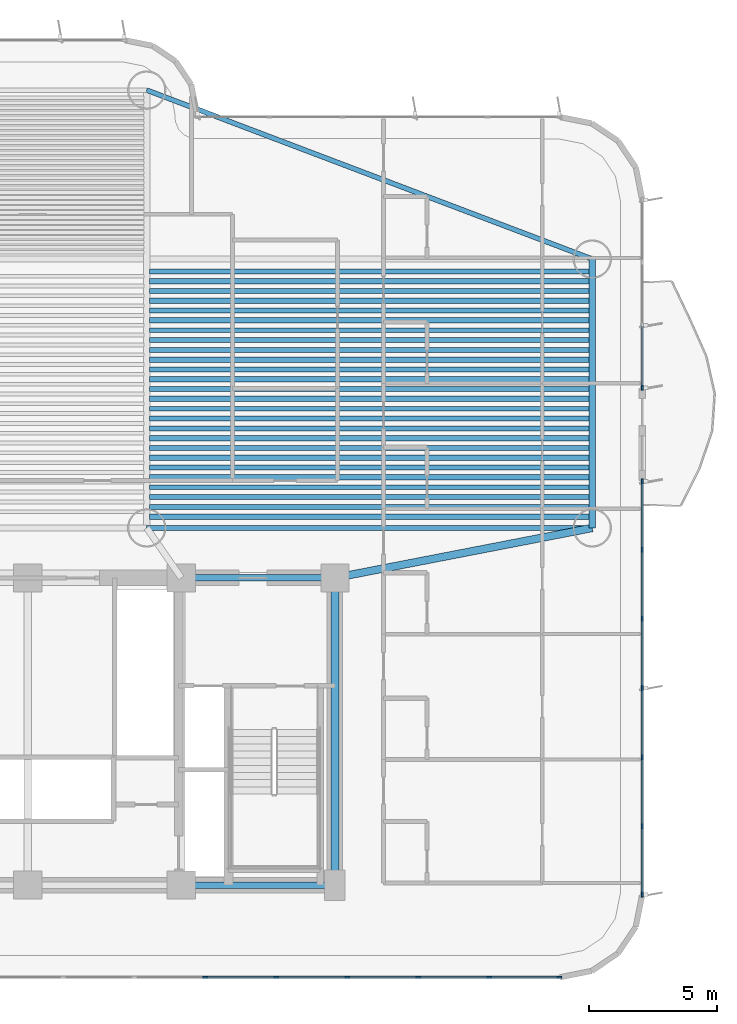
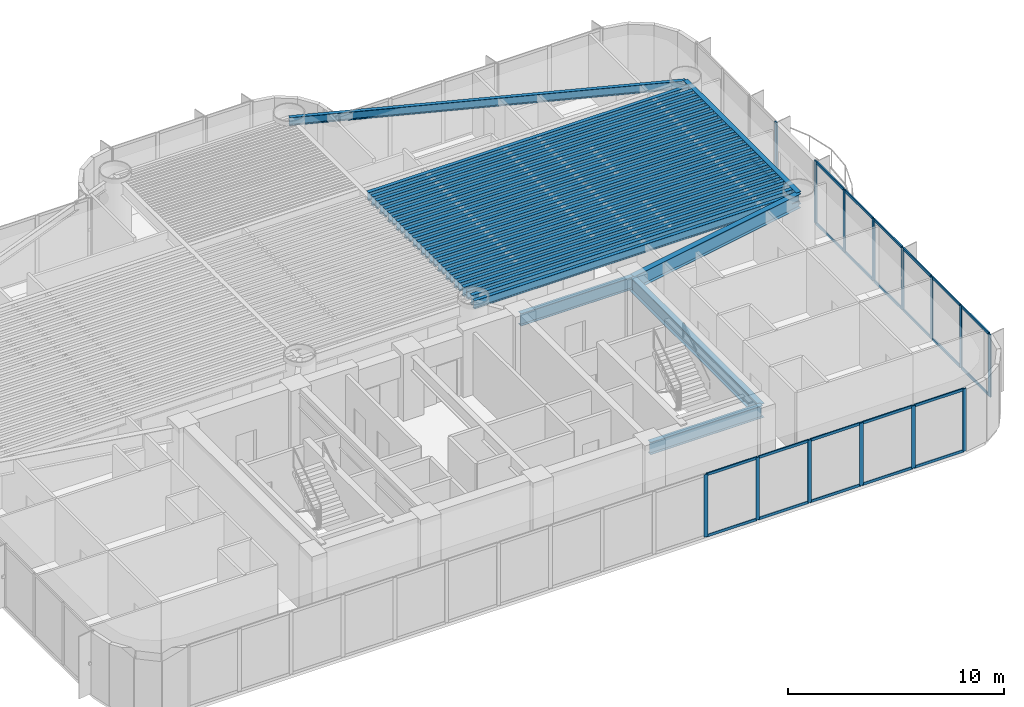
# One storey, part 5 of 19: 37 members, 33 beams, 3 elements without a shape of their own.
"""IFC4 building model written with IfcOpenShell, lengths in metres."""

from ifc_helpers import new_model, si_unit, direction, frame, origin, origin_2d, place, context, subcontext, project, spatial, rectangle, i_section, extrude, source, transform, mapped, material, layer, layer_set, material_profile, profile_set, type_object, element, aggregate, save


model = new_model("IFC4")

# Units and contexts
model_context = context("Model", 3, precision=1e-05, world=origin(), true_north=direction((0.0, 1.0)))
body_context = subcontext(model_context, "Body", "Model", "MODEL_VIEW")
ifc_project = project(units=[si_unit("LENGTHUNIT", "METRE"), si_unit("AREAUNIT", "SQUARE_METRE"), si_unit("VOLUMEUNIT", "CUBIC_METRE"), si_unit("PLANEANGLEUNIT", "RADIAN"), si_unit("MASSUNIT", "GRAM", prefix="KILO")], contexts=[model_context])

# Site, building, storey
site_placement = place(None, origin())
site = spatial("IfcSite", under=ifc_project, at=site_placement, CompositionType="ELEMENT")
building_placement = place(site_placement, origin())
building = spatial("IfcBuilding", under=site, at=building_placement, Name="Brelvock Crest Care Tower", CompositionType="ELEMENT")
storey_placement = place(building_placement, frame((0.0, 0.0, 68.580078125)))
storey = spatial("IfcBuildingStorey", under=building, at=storey_placement, Name="L17", CompositionType="ELEMENT", Elevation=68.580078125)

# Beams
ifc_material_1 = material(Name="Steel Grade 350", Category="steel")
ifc_material_profile_1 = material_profile(ifc_material_1, i_section(OverallWidth=0.25, OverallDepth=0.699951171875, WebThickness=0.011962890625, FlangeThickness=0.02001953125, at=origin_2d()), Name="700WB150")
ifc_profile_set_1 = profile_set([ifc_material_profile_1], Name="Steel Grade 350")
beam_type_1 = type_object("IfcBeamType", Name="BM-G4", PredefinedType="BEAM", material=ifc_profile_set_1)
shared_shape_1 = source(origin(), body_context, "Body", "SweptSolid", [
    extrude(i_section(OverallWidth=0.25, OverallDepth=0.699951171875, WebThickness=0.011962890625, FlangeThickness=0.02001953125, at=origin_2d()), origin(), (0.0, 0.0, 1.0), 6.0),
])
for number, where, z_axis, x_axis, name in (
    (1, (42.0, 6.0, 3.179931640625), (1.0, 0.0, 0.0), (0.0, 1.0, 0.0), "BM-CORES-L17-4"),
    (2, (42.0, 18.0, 3.179931640625), (1.0, 0.0, 0.0), (0.0, 1.0, 0.0), "BM-COREN-L17-4"),
):
    element("IfcBeam", number, at=place(storey_placement, frame(where, z_axis=z_axis, x_axis=x_axis)), inside=storey, type_object=beam_type_1, Name=name, PredefinedType="BEAM", context=body_context, shape_type="MappedRepresentation", body=[
        mapped(shared_shape_1, transform((0.0, 0.0, 0.0), x_axis=(1.0, 0.0, 0.0), y_axis=(0.0, 1.0, 0.0), z_axis=(0.0, 0.0, 1.0), scale=1.0)),
    ])
ifc_material_profile_2 = material_profile(ifc_material_1, i_section(OverallWidth=0.300048828125, OverallDepth=0.800048828125, WebThickness=0.013916015625, FlangeThickness=0.02197265625, at=origin_2d()), Name="800WB192")
ifc_profile_set_2 = profile_set([ifc_material_profile_2], Name="Steel Grade 350")
beam_type_2 = type_object("IfcBeamType", Name="BM-G5", PredefinedType="BEAM", material=ifc_profile_set_2)
shared_shape_2 = source(origin(), body_context, "Body", "SweptSolid", [
    extrude(i_section(OverallWidth=0.300048828125, OverallDepth=0.800048828125, WebThickness=0.013916015625, FlangeThickness=0.02197265625, at=origin_2d()), origin(), (0.0, 0.0, 1.0), 12.0),
])
beam_1_placement = place(storey_placement, frame((48.0, 6.0, 3.1298828125), z_axis=(0.0, 1.0, 0.0), x_axis=(-1.0, 0.0, 0.0)))
element("IfcBeam", 3, at=beam_1_placement, inside=storey, type_object=beam_type_2, Name="BM-COREX-L17-5", PredefinedType="BEAM", context=body_context, shape_type="MappedRepresentation", body=[
    mapped(shared_shape_2, transform((0.0, 0.0, 0.0), x_axis=(1.0, 0.0, 0.0), y_axis=(0.0, 1.0, 0.0), z_axis=(0.0, 0.0, 1.0), scale=1.0)),
])
shared_shape_3 = source(origin(), body_context, "Body", "SweptSolid", [
    extrude(i_section(OverallWidth=0.25, OverallDepth=0.699951171875, WebThickness=0.011962890625, FlangeThickness=0.02001953125, at=origin_2d()), origin(), (0.0, 0.0, 1.0), 10.5),
])
beam_2_placement = place(storey_placement, frame((58.050048828125, 19.949951171875, 3.179931640625), z_axis=(0.0, 1.0, 0.0), x_axis=(-1.0, 0.0, 0.0)))
element("IfcBeam", 4, at=beam_2_placement, inside=storey, type_object=beam_type_1, Name="BM-TWR-L17-02", PredefinedType="BEAM", context=body_context, shape_type="MappedRepresentation", body=[
    mapped(shared_shape_3, transform((0.0, 0.0, 0.0), x_axis=(1.0, 0.0, 0.0), y_axis=(0.0, 1.0, 0.0), z_axis=(0.0, 0.0, 1.0), scale=1.0)),
])
ifc_material_profile_3 = material_profile(ifc_material_1, i_section(OverallWidth=0.19091796875, OverallDepth=0.4599609375, WebThickness=0.010009765625, FlangeThickness=0.01611328125, FilletRadius=0.011474609375, at=origin_2d()), Name="460UB82.1")
ifc_profile_set_3 = profile_set([ifc_material_profile_3], Name="Steel Grade 350")
beam_type_3 = type_object("IfcBeamType", Name="BM-SP2", PredefinedType="SPANDREL", material=ifc_profile_set_3)
shared_shape_4 = source(origin(), body_context, "Body", "SweptSolid", [
    extrude(i_section(OverallWidth=0.19091796875, OverallDepth=0.4599609375, WebThickness=0.010009765625, FlangeThickness=0.01611328125, FilletRadius=0.011474609375, at=origin_2d()), origin(), (0.0, 0.0, 1.0), 17.400146484375),
])
beam_3_placement = place(storey_placement, frame((40.64990234375, 19.949951171875, 3.2998046875), z_axis=(1.0, 0.0, 0.0), x_axis=(0.0, 1.0, 0.0)))
element("IfcBeam", 5, at=beam_3_placement, inside=storey, type_object=beam_type_3, Name="BM-TWR-L17-04", PredefinedType="SPANDREL", context=body_context, shape_type="MappedRepresentation", body=[
    mapped(shared_shape_4, transform((0.0, 0.0, 0.0), x_axis=(1.0, 0.0, 0.0), y_axis=(0.0, 1.0, 0.0), z_axis=(0.0, 0.0, 1.0), scale=1.0)),
])
shared_shape_5 = source(origin(), body_context, "Body", "SweptSolid", [
    extrude(i_section(OverallWidth=0.19091796875, OverallDepth=0.4599609375, WebThickness=0.010009765625, FlangeThickness=0.01611328125, FilletRadius=0.011474609375, at=origin_2d()), origin(), (0.0, 0.0, 1.0), 18.60986328125),
])
beam_4_placement = place(storey_placement, frame((40.64990234375, 37.050048828125, 3.2998046875), z_axis=(0.934996776275, -0.3546562115, 0.0), x_axis=(0.3546562115, 0.934996776275, 0.0)))
element("IfcBeam", 6, at=beam_4_placement, inside=storey, type_object=beam_type_3, Name="BM-TWR-L17-07", PredefinedType="SPANDREL", context=body_context, shape_type="MappedRepresentation", body=[
    mapped(shared_shape_5, transform((0.0, 0.0, 0.0), x_axis=(1.0, 0.0, 0.0), y_axis=(0.0, 1.0, 0.0), z_axis=(0.0, 0.0, 1.0), scale=1.0)),
])
shared_shape_6 = source(origin(), body_context, "Body", "SweptSolid", [
    extrude(i_section(OverallWidth=0.300048828125, OverallDepth=0.800048828125, WebThickness=0.013916015625, FlangeThickness=0.02197265625, at=origin_2d()), origin(), (0.0, 0.0, 1.0), 10.237548828125),
])
beam_5_placement = place(storey_placement, frame((48.0, 18.0, 3.1298828125), z_axis=(0.981692632568, 0.190471979991, 0.0), x_axis=(-0.190471979991, 0.981692632568, 0.0)))
element("IfcBeam", 7, at=beam_5_placement, inside=storey, type_object=beam_type_2, Name="BM-THRO-E-L17", PredefinedType="BEAM", context=body_context, shape_type="MappedRepresentation", body=[
    mapped(shared_shape_6, transform((0.0, 0.0, 0.0), x_axis=(1.0, 0.0, 0.0), y_axis=(0.0, 1.0, 0.0), z_axis=(0.0, 0.0, 1.0), scale=1.0)),
])
ifc_material_profile_4 = material_profile(ifc_material_1, i_section(OverallWidth=0.208984375, OverallDepth=0.532958984375, WebThickness=0.01025390625, FlangeThickness=0.015625, FilletRadius=0.013916015625, at=origin_2d()), Name="530UB92.4")
ifc_profile_set_4 = profile_set([ifc_material_profile_4], Name="Steel Grade 350")
beam_type_4 = type_object("IfcBeamType", Name="BM-G2", PredefinedType="BEAM", material=ifc_profile_set_4)
shared_shape_7 = source(origin(), body_context, "Body", "SweptSolid", [
    extrude(i_section(OverallWidth=0.208984375, OverallDepth=0.532958984375, WebThickness=0.01025390625, FlangeThickness=0.015625, FilletRadius=0.013916015625, at=origin_2d()), origin(), (0.0, 0.0, 1.0), 17.170166015625),
])
for number, where, z_axis, x_axis, name in (
    (8, (40.764892578125, 20.39111328125, 3.263427734375), (1.0, 0.0, 0.0), (0.0, 1.0, 0.0), "BM-JE-L17-1"),
    (9, (40.764892578125, 21.157470703125, 3.263427734375), (1.0, 0.0, 0.0), (0.0, 1.0, 0.0), "BM-JE-L17-3"),
    (10, (40.764892578125, 21.924072265625, 3.263427734375), (1.0, 0.0, 0.0), (0.0, 1.0, 0.0), "BM-JE-L17-5"),
    (11, (40.764892578125, 22.6904296875, 3.263427734375), (1.0, 0.0, 0.0), (0.0, 1.0, 0.0), "BM-JE-L17-7"),
    (12, (40.764892578125, 23.45703125, 3.263427734375), (1.0, 0.0, 0.0), (0.0, 1.0, 0.0), "BM-JE-L17-9"),
    (13, (40.764892578125, 24.223388671875, 3.263427734375), (1.0, 0.0, 0.0), (0.0, 1.0, 0.0), "BM-JE-L17-11"),
    (14, (40.764892578125, 24.989990234375, 3.263427734375), (1.0, 0.0, 0.0), (0.0, 1.0, 0.0), "BM-JE-L17-13"),
    (15, (40.764892578125, 25.756591796875, 3.263427734375), (1.0, 0.0, 0.0), (0.0, 1.0, 0.0), "BM-JE-L17-15"),
    (16, (40.764892578125, 26.52294921875, 3.263427734375), (1.0, 0.0, 0.0), (0.0, 1.0, 0.0), "BM-JE-L17-17"),
    (17, (40.764892578125, 27.28955078125, 3.263427734375), (1.0, 0.0, 0.0), (0.0, 1.0, 0.0), "BM-JE-L17-19"),
    (18, (40.764892578125, 28.055908203125, 3.263427734375), (1.0, 0.0, 0.0), (0.0, 1.0, 0.0), "BM-JE-L17-21"),
    (19, (40.764892578125, 28.822509765625, 3.263427734375), (1.0, 0.0, 0.0), (0.0, 1.0, 0.0), "BM-JE-L17-23"),
    (20, (40.764892578125, 29.589111328125, 3.263427734375), (1.0, 0.0, 0.0), (0.0, 1.0, 0.0), "BM-JE-L17-25"),
):
    element("IfcBeam", number, at=place(storey_placement, frame(where, z_axis=z_axis, x_axis=x_axis)), inside=storey, type_object=beam_type_4, Name=name, PredefinedType="BEAM", context=body_context, shape_type="MappedRepresentation", body=[
        mapped(shared_shape_7, transform((0.0, 0.0, 0.0), x_axis=(1.0, 0.0, 0.0), y_axis=(0.0, 1.0, 0.0), z_axis=(0.0, 0.0, 1.0), scale=1.0)),
    ])
ifc_material_profile_5 = material_profile(ifc_material_1, i_section(OverallWidth=0.19091796875, OverallDepth=0.4599609375, WebThickness=0.010009765625, FlangeThickness=0.01611328125, FilletRadius=0.011474609375, at=origin_2d()), Name="460UB82.1")
ifc_profile_set_5 = profile_set([ifc_material_profile_5], Name="Steel Grade 350")
beam_type_5 = type_object("IfcBeamType", Name="BM-G3", PredefinedType="BEAM", material=ifc_profile_set_5)
shared_shape_8 = source(origin(), body_context, "Body", "SweptSolid", [
    extrude(i_section(OverallWidth=0.19091796875, OverallDepth=0.4599609375, WebThickness=0.010009765625, FlangeThickness=0.01611328125, FilletRadius=0.011474609375, at=origin_2d()), origin(), (0.0, 0.0, 1.0), 17.170166015625),
])
for number, where, z_axis, x_axis, name in (
    (21, (40.764892578125, 20.774169921875, 3.2998046875), (1.0, 0.0, 0.0), (0.0, 1.0, 0.0), "BM-JE-L17-2"),
    (22, (40.764892578125, 21.540771484375, 3.2998046875), (1.0, 0.0, 0.0), (0.0, 1.0, 0.0), "BM-JE-L17-4"),
    (23, (40.764892578125, 22.30712890625, 3.2998046875), (1.0, 0.0, 0.0), (0.0, 1.0, 0.0), "BM-JE-L17-6"),
    (24, (40.764892578125, 23.07373046875, 3.2998046875), (1.0, 0.0, 0.0), (0.0, 1.0, 0.0), "BM-JE-L17-8"),
    (25, (40.764892578125, 23.840087890625, 3.2998046875), (1.0, 0.0, 0.0), (0.0, 1.0, 0.0), "BM-JE-L17-10"),
    (26, (40.764892578125, 24.606689453125, 3.2998046875), (1.0, 0.0, 0.0), (0.0, 1.0, 0.0), "BM-JE-L17-12"),
    (27, (40.764892578125, 25.373291015625, 3.2998046875), (1.0, 0.0, 0.0), (0.0, 1.0, 0.0), "BM-JE-L17-14"),
    (28, (40.764892578125, 26.1396484375, 3.2998046875), (1.0, 0.0, 0.0), (0.0, 1.0, 0.0), "BM-JE-L17-16"),
    (29, (40.764892578125, 26.90625, 3.2998046875), (1.0, 0.0, 0.0), (0.0, 1.0, 0.0), "BM-JE-L17-18"),
    (30, (40.764892578125, 27.6728515625, 3.2998046875), (1.0, 0.0, 0.0), (0.0, 1.0, 0.0), "BM-JE-L17-20"),
    (31, (40.764892578125, 28.439208984375, 3.2998046875), (1.0, 0.0, 0.0), (0.0, 1.0, 0.0), "BM-JE-L17-22"),
    (32, (40.764892578125, 29.205810546875, 3.2998046875), (1.0, 0.0, 0.0), (0.0, 1.0, 0.0), "BM-JE-L17-24"),
    (33, (40.764892578125, 29.97216796875, 3.2998046875), (1.0, 0.0, 0.0), (0.0, 1.0, 0.0), "BM-JE-L17-26"),
):
    element("IfcBeam", number, at=place(storey_placement, frame(where, z_axis=z_axis, x_axis=x_axis)), inside=storey, type_object=beam_type_5, Name=name, PredefinedType="BEAM", context=body_context, shape_type="MappedRepresentation", body=[
        mapped(shared_shape_8, transform((0.0, 0.0, 0.0), x_axis=(1.0, 0.0, 0.0), y_axis=(0.0, 1.0, 0.0), z_axis=(0.0, 0.0, 1.0), scale=1.0)),
    ])

# Curtain wall, member
ifc_material_2 = material(Name="Dark Glass Double Glazed Low-E", Category="glass")
ifc_layer = layer(ifc_material_2, 0.195068359375, Name="CWS-2")
ifc_layer_set = layer_set([ifc_layer], Name="Dark Glass Double Glazed Low-E")
curtain_wall_type = type_object("IfcCurtainWallType", Name="CWS-2", PredefinedType="NOTDEFINED", material=ifc_layer_set)
curtain_wall_1_placement = place(storey_placement, origin())
curtain_wall_1 = element("IfcCurtainWall", 34, at=curtain_wall_1_placement, inside=storey, type_object=curtain_wall_type, Name="L17 Curtain Wall E03A", PredefinedType="NOTDEFINED")
ifc_material_3 = material(Name="Aluminium 6063-T6", Category="aluminium")
ifc_material_profile_6 = material_profile(ifc_material_3, rectangle(XDim=0.06494140625, YDim=0.199951171875, at=origin_2d()), Name="ALU65x200")
ifc_profile_set_6 = profile_set([ifc_material_profile_6], Name="Aluminium 6063-T6")
member_type_1 = type_object("IfcMemberType", Name="CWM-1", PredefinedType="MULLION", material=ifc_profile_set_6)
shared_shape_9 = source(origin(), body_context, "Body", "SweptSolid", [
    extrude(rectangle(XDim=0.06494140625, YDim=0.199951171875, at=origin_2d()), origin(), (0.0, 0.0, 1.0), 3.530029296875),
])
member_1_placement = place(storey_placement, frame((60.0, 25.4326171875, 0.0), z_axis=(0.0, 0.0, 1.0), x_axis=(1.0, 0.0, 0.0)))
member_1 = element("IfcMember", 35, at=member_1_placement, type_object=member_type_1, Name="CW-2 mullion 4", PredefinedType="MULLION", context=body_context, shape_type="MappedRepresentation", body=[
    mapped(shared_shape_9, transform((0.0, 0.0, 0.0), x_axis=(1.0, 0.0, 0.0), y_axis=(0.0, 1.0, 0.0), z_axis=(0.0, 0.0, 1.0), scale=1.0)),
])

# Curtain wall, members
curtain_wall_2_placement = place(storey_placement, origin())
curtain_wall_2 = element("IfcCurtainWall", 36, at=curtain_wall_2_placement, inside=storey, type_object=curtain_wall_type, Name="L17 Curtain Wall E03B", PredefinedType="NOTDEFINED")
member_2_placement = place(storey_placement, frame((60.0, 21.767578125, 0.0), z_axis=(0.0, 0.0, 1.0), x_axis=(1.0, 0.0, 0.0)))
member_2 = element("IfcMember", 37, at=member_2_placement, type_object=member_type_1, Name="CW-2 mullion 1", PredefinedType="MULLION", context=body_context, shape_type="MappedRepresentation", body=[
    mapped(shared_shape_9, transform((0.0, 0.0, 0.0), x_axis=(1.0, 0.0, 0.0), y_axis=(0.0, 1.0, 0.0), z_axis=(0.0, 0.0, 1.0), scale=1.0)),
])
member_3_placement = place(storey_placement, frame((60.0, 19.10009765625, 0.0), z_axis=(0.0, 0.0, 1.0), x_axis=(1.0, 0.0, 0.0)))
member_3 = element("IfcMember", 38, at=member_3_placement, type_object=member_type_1, Name="CW-2 mullion 2", PredefinedType="MULLION", context=body_context, shape_type="MappedRepresentation", body=[
    mapped(shared_shape_9, transform((0.0, 0.0, 0.0), x_axis=(1.0, 0.0, 0.0), y_axis=(0.0, 1.0, 0.0), z_axis=(0.0, 0.0, 1.0), scale=1.0)),
])
member_4_placement = place(storey_placement, frame((60.0, 16.39990234375, 0.0), z_axis=(0.0, 0.0, 1.0), x_axis=(1.0, 0.0, 0.0)))
member_4 = element("IfcMember", 39, at=member_4_placement, type_object=member_type_1, Name="CW-2 mullion 3", PredefinedType="MULLION", context=body_context, shape_type="MappedRepresentation", body=[
    mapped(shared_shape_9, transform((0.0, 0.0, 0.0), x_axis=(1.0, 0.0, 0.0), y_axis=(0.0, 1.0, 0.0), z_axis=(0.0, 0.0, 1.0), scale=1.0)),
])
member_5_placement = place(storey_placement, frame((60.0, 13.699951171875, 0.0), z_axis=(0.0, 0.0, 1.0), x_axis=(1.0, 0.0, 0.0)))
member_5 = element("IfcMember", 40, at=member_5_placement, type_object=member_type_1, Name="CW-2 mullion 4", PredefinedType="MULLION", context=body_context, shape_type="MappedRepresentation", body=[
    mapped(shared_shape_9, transform((0.0, 0.0, 0.0), x_axis=(1.0, 0.0, 0.0), y_axis=(0.0, 1.0, 0.0), z_axis=(0.0, 0.0, 1.0), scale=1.0)),
])
member_6_placement = place(storey_placement, frame((60.0, 11.0, 0.0), z_axis=(0.0, 0.0, 1.0), x_axis=(1.0, 0.0, 0.0)))
member_6 = element("IfcMember", 41, at=member_6_placement, type_object=member_type_1, Name="CW-2 mullion 5", PredefinedType="MULLION", context=body_context, shape_type="MappedRepresentation", body=[
    mapped(shared_shape_9, transform((0.0, 0.0, 0.0), x_axis=(1.0, 0.0, 0.0), y_axis=(0.0, 1.0, 0.0), z_axis=(0.0, 0.0, 1.0), scale=1.0)),
])
member_7_placement = place(storey_placement, frame((60.0, 8.300048828125, 0.0), z_axis=(0.0, 0.0, 1.0), x_axis=(1.0, 0.0, 0.0)))
member_7 = element("IfcMember", 42, at=member_7_placement, type_object=member_type_1, Name="CW-2 mullion 6", PredefinedType="MULLION", context=body_context, shape_type="MappedRepresentation", body=[
    mapped(shared_shape_9, transform((0.0, 0.0, 0.0), x_axis=(1.0, 0.0, 0.0), y_axis=(0.0, 1.0, 0.0), z_axis=(0.0, 0.0, 1.0), scale=1.0)),
])
member_8_placement = place(storey_placement, frame((60.0, 5.632568359375, 0.0), z_axis=(0.0, 0.0, 1.0), x_axis=(1.0, 0.0, 0.0)))
member_8 = element("IfcMember", 43, at=member_8_placement, type_object=member_type_1, Name="CW-2 mullion 7", PredefinedType="MULLION", context=body_context, shape_type="MappedRepresentation", body=[
    mapped(shared_shape_9, transform((0.0, 0.0, 0.0), x_axis=(1.0, 0.0, 0.0), y_axis=(0.0, 1.0, 0.0), z_axis=(0.0, 0.0, 1.0), scale=1.0)),
])

curtain_wall_3_placement = place(storey_placement, origin())
curtain_wall_3 = element("IfcCurtainWall", 44, at=curtain_wall_3_placement, inside=storey, type_object=curtain_wall_type, Name="L17 Curtain Wall E08", PredefinedType="NOTDEFINED")
member_9_placement = place(storey_placement, frame((56.767578125, 2.39990234375, 0.0), z_axis=(0.0, 0.0, 1.0), x_axis=(0.0, -1.0, 0.0)))
member_9 = element("IfcMember", 45, at=member_9_placement, type_object=member_type_1, Name="CW-2 mullion 1", PredefinedType="MULLION", context=body_context, shape_type="MappedRepresentation", body=[
    mapped(shared_shape_9, transform((0.0, 0.0, 0.0), x_axis=(1.0, 0.0, 0.0), y_axis=(0.0, 1.0, 0.0), z_axis=(0.0, 0.0, 1.0), scale=1.0)),
])
member_10_placement = place(storey_placement, frame((54.026611328125, 2.39990234375, 0.0), z_axis=(0.0, 0.0, 1.0), x_axis=(0.0, -1.0, 0.0)))
member_10 = element("IfcMember", 46, at=member_10_placement, type_object=member_type_1, Name="CW-2 mullion 2", PredefinedType="MULLION", context=body_context, shape_type="MappedRepresentation", body=[
    mapped(shared_shape_9, transform((0.0, 0.0, 0.0), x_axis=(1.0, 0.0, 0.0), y_axis=(0.0, 1.0, 0.0), z_axis=(0.0, 0.0, 1.0), scale=1.0)),
])
member_11_placement = place(storey_placement, frame((51.25341796875, 2.39990234375, 0.0), z_axis=(0.0, 0.0, 1.0), x_axis=(0.0, -1.0, 0.0)))
member_11 = element("IfcMember", 47, at=member_11_placement, type_object=member_type_1, Name="CW-2 mullion 3", PredefinedType="MULLION", context=body_context, shape_type="MappedRepresentation", body=[
    mapped(shared_shape_9, transform((0.0, 0.0, 0.0), x_axis=(1.0, 0.0, 0.0), y_axis=(0.0, 1.0, 0.0), z_axis=(0.0, 0.0, 1.0), scale=1.0)),
])
member_12_placement = place(storey_placement, frame((48.47998046875, 2.39990234375, 0.0), z_axis=(0.0, 0.0, 1.0), x_axis=(0.0, -1.0, 0.0)))
member_12 = element("IfcMember", 48, at=member_12_placement, type_object=member_type_1, Name="CW-2 mullion 4", PredefinedType="MULLION", context=body_context, shape_type="MappedRepresentation", body=[
    mapped(shared_shape_9, transform((0.0, 0.0, 0.0), x_axis=(1.0, 0.0, 0.0), y_axis=(0.0, 1.0, 0.0), z_axis=(0.0, 0.0, 1.0), scale=1.0)),
])
member_13_placement = place(storey_placement, frame((45.706787109375, 2.39990234375, 0.0), z_axis=(0.0, 0.0, 1.0), x_axis=(0.0, -1.0, 0.0)))
member_13 = element("IfcMember", 49, at=member_13_placement, type_object=member_type_1, Name="CW-2 mullion 5", PredefinedType="MULLION", context=body_context, shape_type="MappedRepresentation", body=[
    mapped(shared_shape_9, transform((0.0, 0.0, 0.0), x_axis=(1.0, 0.0, 0.0), y_axis=(0.0, 1.0, 0.0), z_axis=(0.0, 0.0, 1.0), scale=1.0)),
])
member_14_placement = place(storey_placement, frame((42.933349609375, 2.39990234375, 0.0), z_axis=(0.0, 0.0, 1.0), x_axis=(0.0, -1.0, 0.0)))
member_14 = element("IfcMember", 50, at=member_14_placement, type_object=member_type_1, Name="CW-2 mullion 6", PredefinedType="MULLION", context=body_context, shape_type="MappedRepresentation", body=[
    mapped(shared_shape_9, transform((0.0, 0.0, 0.0), x_axis=(1.0, 0.0, 0.0), y_axis=(0.0, 1.0, 0.0), z_axis=(0.0, 0.0, 1.0), scale=1.0)),
])
ifc_material_profile_7 = material_profile(ifc_material_3, rectangle(XDim=0.06494140625, YDim=0.14990234375, at=origin_2d()), Name="ALU65x150")
ifc_profile_set_7 = profile_set([ifc_material_profile_7], Name="Aluminium 6063-T6")
member_type_2 = type_object("IfcMemberType", Name="CWT-1", PredefinedType="USERDEFINED", material=ifc_profile_set_7)
shared_shape_10 = source(origin(), body_context, "Body", "SweptSolid", [
    extrude(rectangle(XDim=0.06494140625, YDim=0.14990234375, at=origin_2d()), origin(), (0.0, 0.0, 1.0), 2.676025390625),
])
member_15_placement = place(storey_placement, frame((56.735107421875, 2.39990234375, 0.032470703125), z_axis=(-1.0, 0.0, 0.0), x_axis=(0.0, -1.0, 0.0)))
member_15 = element("IfcMember", 51, at=member_15_placement, type_object=member_type_2, Name="CW-2 transom 1.1", ObjectType="TRANSOM", PredefinedType="USERDEFINED", context=body_context, shape_type="MappedRepresentation", body=[
    mapped(shared_shape_10, transform((0.0, 0.0, 0.0), x_axis=(1.0, 0.0, 0.0), y_axis=(0.0, 1.0, 0.0), z_axis=(0.0, 0.0, 1.0), scale=1.0)),
])
member_16_placement = place(storey_placement, frame((56.735107421875, 2.39990234375, 3.497314453125), z_axis=(-1.0, 0.0, 0.0), x_axis=(0.0, -1.0, 0.0)))
member_16 = element("IfcMember", 52, at=member_16_placement, type_object=member_type_2, Name="CW-2 transom 1.2", ObjectType="TRANSOM", PredefinedType="USERDEFINED", context=body_context, shape_type="MappedRepresentation", body=[
    mapped(shared_shape_10, transform((0.0, 0.0, 0.0), x_axis=(1.0, 0.0, 0.0), y_axis=(0.0, 1.0, 0.0), z_axis=(0.0, 0.0, 1.0), scale=1.0)),
])
shared_shape_11 = source(origin(), body_context, "Body", "SweptSolid", [
    extrude(rectangle(XDim=0.06494140625, YDim=0.14990234375, at=origin_2d()), origin(), (0.0, 0.0, 1.0), 2.708251953125),
])
member_17_placement = place(storey_placement, frame((53.994140625, 2.39990234375, 0.032470703125), z_axis=(-1.0, 0.0, 0.0), x_axis=(0.0, -1.0, 0.0)))
member_17 = element("IfcMember", 53, at=member_17_placement, type_object=member_type_2, Name="CW-2 transom 2.1", ObjectType="TRANSOM", PredefinedType="USERDEFINED", context=body_context, shape_type="MappedRepresentation", body=[
    mapped(shared_shape_11, transform((0.0, 0.0, 0.0), x_axis=(1.0, 0.0, 0.0), y_axis=(0.0, 1.0, 0.0), z_axis=(0.0, 0.0, 1.0), scale=1.0)),
])
member_18_placement = place(storey_placement, frame((53.994140625, 2.39990234375, 3.497314453125), z_axis=(-1.0, 0.0, 0.0), x_axis=(0.0, -1.0, 0.0)))
member_18 = element("IfcMember", 54, at=member_18_placement, type_object=member_type_2, Name="CW-2 transom 2.2", ObjectType="TRANSOM", PredefinedType="USERDEFINED", context=body_context, shape_type="MappedRepresentation", body=[
    mapped(shared_shape_11, transform((0.0, 0.0, 0.0), x_axis=(1.0, 0.0, 0.0), y_axis=(0.0, 1.0, 0.0), z_axis=(0.0, 0.0, 1.0), scale=1.0)),
])
member_19_placement = place(storey_placement, frame((48.447509765625, 2.39990234375, 0.032470703125), z_axis=(-1.0, 0.0, 0.0), x_axis=(0.0, -1.0, 0.0)))
member_19 = element("IfcMember", 55, at=member_19_placement, type_object=member_type_2, Name="CW-2 transom 4.1", ObjectType="TRANSOM", PredefinedType="USERDEFINED", context=body_context, shape_type="MappedRepresentation", body=[
    mapped(shared_shape_11, transform((0.0, 0.0, 0.0), x_axis=(1.0, 0.0, 0.0), y_axis=(0.0, 1.0, 0.0), z_axis=(0.0, 0.0, 1.0), scale=1.0)),
])
member_20_placement = place(storey_placement, frame((48.447509765625, 2.39990234375, 3.497314453125), z_axis=(-1.0, 0.0, 0.0), x_axis=(0.0, -1.0, 0.0)))
member_20 = element("IfcMember", 56, at=member_20_placement, type_object=member_type_2, Name="CW-2 transom 4.2", ObjectType="TRANSOM", PredefinedType="USERDEFINED", context=body_context, shape_type="MappedRepresentation", body=[
    mapped(shared_shape_11, transform((0.0, 0.0, 0.0), x_axis=(1.0, 0.0, 0.0), y_axis=(0.0, 1.0, 0.0), z_axis=(0.0, 0.0, 1.0), scale=1.0)),
])
member_21_placement = place(storey_placement, frame((45.674072265625, 2.39990234375, 0.032470703125), z_axis=(-1.0, 0.0, 0.0), x_axis=(0.0, -1.0, 0.0)))
member_21 = element("IfcMember", 57, at=member_21_placement, type_object=member_type_2, Name="CW-2 transom 5.1", ObjectType="TRANSOM", PredefinedType="USERDEFINED", context=body_context, shape_type="MappedRepresentation", body=[
    mapped(shared_shape_11, transform((0.0, 0.0, 0.0), x_axis=(1.0, 0.0, 0.0), y_axis=(0.0, 1.0, 0.0), z_axis=(0.0, 0.0, 1.0), scale=1.0)),
])
member_22_placement = place(storey_placement, frame((45.674072265625, 2.39990234375, 3.497314453125), z_axis=(-1.0, 0.0, 0.0), x_axis=(0.0, -1.0, 0.0)))
member_22 = element("IfcMember", 58, at=member_22_placement, type_object=member_type_2, Name="CW-2 transom 5.2", ObjectType="TRANSOM", PredefinedType="USERDEFINED", context=body_context, shape_type="MappedRepresentation", body=[
    mapped(shared_shape_11, transform((0.0, 0.0, 0.0), x_axis=(1.0, 0.0, 0.0), y_axis=(0.0, 1.0, 0.0), z_axis=(0.0, 0.0, 1.0), scale=1.0)),
])
shared_shape_12 = source(origin(), body_context, "Body", "SweptSolid", [
    extrude(rectangle(XDim=0.06494140625, YDim=0.14990234375, at=origin_2d()), origin(), (0.0, 0.0, 1.0), 2.70849609375),
])
member_23_placement = place(storey_placement, frame((51.220947265625, 2.39990234375, 0.032470703125), z_axis=(-1.0, 0.0, 0.0), x_axis=(0.0, -1.0, 0.0)))
member_23 = element("IfcMember", 59, at=member_23_placement, type_object=member_type_2, Name="CW-2 transom 3.1", ObjectType="TRANSOM", PredefinedType="USERDEFINED", context=body_context, shape_type="MappedRepresentation", body=[
    mapped(shared_shape_12, transform((0.0, 0.0, 0.0), x_axis=(1.0, 0.0, 0.0), y_axis=(0.0, 1.0, 0.0), z_axis=(0.0, 0.0, 1.0), scale=1.0)),
])
member_24_placement = place(storey_placement, frame((51.220947265625, 2.39990234375, 3.497314453125), z_axis=(-1.0, 0.0, 0.0), x_axis=(0.0, -1.0, 0.0)))
member_24 = element("IfcMember", 60, at=member_24_placement, type_object=member_type_2, Name="CW-2 transom 3.2", ObjectType="TRANSOM", PredefinedType="USERDEFINED", context=body_context, shape_type="MappedRepresentation", body=[
    mapped(shared_shape_12, transform((0.0, 0.0, 0.0), x_axis=(1.0, 0.0, 0.0), y_axis=(0.0, 1.0, 0.0), z_axis=(0.0, 0.0, 1.0), scale=1.0)),
])
aggregate(curtain_wall_3, [member_9, member_10, member_11, member_12, member_13, member_14, member_15, member_16, member_17, member_18, member_23, member_24, member_19, member_20, member_21, member_22])

# Member
shared_shape_13 = source(origin(), body_context, "Body", "SweptSolid", [
    extrude(rectangle(XDim=0.06494140625, YDim=0.14990234375, at=origin_2d()), origin(), (0.0, 0.0, 1.0), 2.6025390625),
])
member_25_placement = place(storey_placement, frame((60.0, 21.735107421875, 0.032470703125), z_axis=(0.0, -1.0, 0.0), x_axis=(1.0, 0.0, 0.0)))
member_25 = element("IfcMember", 61, at=member_25_placement, type_object=member_type_2, Name="CW-2 transom 1.1", ObjectType="TRANSOM", PredefinedType="USERDEFINED", context=body_context, shape_type="MappedRepresentation", body=[
    mapped(shared_shape_13, transform((0.0, 0.0, 0.0), x_axis=(1.0, 0.0, 0.0), y_axis=(0.0, 1.0, 0.0), z_axis=(0.0, 0.0, 1.0), scale=1.0)),
])

member_26_placement = place(storey_placement, frame((60.0, 21.735107421875, 3.497314453125), z_axis=(0.0, -1.0, 0.0), x_axis=(1.0, 0.0, 0.0)))
member_26 = element("IfcMember", 62, at=member_26_placement, type_object=member_type_2, Name="CW-2 transom 1.2", ObjectType="TRANSOM", PredefinedType="USERDEFINED", context=body_context, shape_type="MappedRepresentation", body=[
    mapped(shared_shape_13, transform((0.0, 0.0, 0.0), x_axis=(1.0, 0.0, 0.0), y_axis=(0.0, 1.0, 0.0), z_axis=(0.0, 0.0, 1.0), scale=1.0)),
])

member_27_placement = place(storey_placement, frame((60.0, 8.267578125, 0.032470703125), z_axis=(0.0, -1.0, 0.0), x_axis=(1.0, 0.0, 0.0)))
member_27 = element("IfcMember", 63, at=member_27_placement, type_object=member_type_2, Name="CW-2 transom 6.1", ObjectType="TRANSOM", PredefinedType="USERDEFINED", context=body_context, shape_type="MappedRepresentation", body=[
    mapped(shared_shape_13, transform((0.0, 0.0, 0.0), x_axis=(1.0, 0.0, 0.0), y_axis=(0.0, 1.0, 0.0), z_axis=(0.0, 0.0, 1.0), scale=1.0)),
])

member_28_placement = place(storey_placement, frame((60.0, 8.267578125, 3.497314453125), z_axis=(0.0, -1.0, 0.0), x_axis=(1.0, 0.0, 0.0)))
member_28 = element("IfcMember", 64, at=member_28_placement, type_object=member_type_2, Name="CW-2 transom 6.2", ObjectType="TRANSOM", PredefinedType="USERDEFINED", context=body_context, shape_type="MappedRepresentation", body=[
    mapped(shared_shape_13, transform((0.0, 0.0, 0.0), x_axis=(1.0, 0.0, 0.0), y_axis=(0.0, 1.0, 0.0), z_axis=(0.0, 0.0, 1.0), scale=1.0)),
])

shared_shape_14 = source(origin(), body_context, "Body", "SweptSolid", [
    extrude(rectangle(XDim=0.06494140625, YDim=0.14990234375, at=origin_2d()), origin(), (0.0, 0.0, 1.0), 2.635009765625),
])
member_29_placement = place(storey_placement, frame((60.0, 16.367431640625, 0.032470703125), z_axis=(0.0, -1.0, 0.0), x_axis=(1.0, 0.0, 0.0)))
member_29 = element("IfcMember", 65, at=member_29_placement, type_object=member_type_2, Name="CW-2 transom 3.1", ObjectType="TRANSOM", PredefinedType="USERDEFINED", context=body_context, shape_type="MappedRepresentation", body=[
    mapped(shared_shape_14, transform((0.0, 0.0, 0.0), x_axis=(1.0, 0.0, 0.0), y_axis=(0.0, 1.0, 0.0), z_axis=(0.0, 0.0, 1.0), scale=1.0)),
])

member_30_placement = place(storey_placement, frame((60.0, 16.367431640625, 3.497314453125), z_axis=(0.0, -1.0, 0.0), x_axis=(1.0, 0.0, 0.0)))
member_30 = element("IfcMember", 66, at=member_30_placement, type_object=member_type_2, Name="CW-2 transom 3.2", ObjectType="TRANSOM", PredefinedType="USERDEFINED", context=body_context, shape_type="MappedRepresentation", body=[
    mapped(shared_shape_14, transform((0.0, 0.0, 0.0), x_axis=(1.0, 0.0, 0.0), y_axis=(0.0, 1.0, 0.0), z_axis=(0.0, 0.0, 1.0), scale=1.0)),
])

member_31_placement = place(storey_placement, frame((60.0, 13.66748046875, 0.032470703125), z_axis=(0.0, -1.0, 0.0), x_axis=(1.0, 0.0, 0.0)))
member_31 = element("IfcMember", 67, at=member_31_placement, type_object=member_type_2, Name="CW-2 transom 4.1", ObjectType="TRANSOM", PredefinedType="USERDEFINED", context=body_context, shape_type="MappedRepresentation", body=[
    mapped(shared_shape_14, transform((0.0, 0.0, 0.0), x_axis=(1.0, 0.0, 0.0), y_axis=(0.0, 1.0, 0.0), z_axis=(0.0, 0.0, 1.0), scale=1.0)),
])

member_32_placement = place(storey_placement, frame((60.0, 13.66748046875, 3.497314453125), z_axis=(0.0, -1.0, 0.0), x_axis=(1.0, 0.0, 0.0)))
member_32 = element("IfcMember", 68, at=member_32_placement, type_object=member_type_2, Name="CW-2 transom 4.2", ObjectType="TRANSOM", PredefinedType="USERDEFINED", context=body_context, shape_type="MappedRepresentation", body=[
    mapped(shared_shape_14, transform((0.0, 0.0, 0.0), x_axis=(1.0, 0.0, 0.0), y_axis=(0.0, 1.0, 0.0), z_axis=(0.0, 0.0, 1.0), scale=1.0)),
])

member_33_placement = place(storey_placement, frame((60.0, 10.967529296875, 0.032470703125), z_axis=(0.0, -1.0, 0.0), x_axis=(1.0, 0.0, 0.0)))
member_33 = element("IfcMember", 69, at=member_33_placement, type_object=member_type_2, Name="CW-2 transom 5.1", ObjectType="TRANSOM", PredefinedType="USERDEFINED", context=body_context, shape_type="MappedRepresentation", body=[
    mapped(shared_shape_14, transform((0.0, 0.0, 0.0), x_axis=(1.0, 0.0, 0.0), y_axis=(0.0, 1.0, 0.0), z_axis=(0.0, 0.0, 1.0), scale=1.0)),
])

member_34_placement = place(storey_placement, frame((60.0, 10.967529296875, 3.497314453125), z_axis=(0.0, -1.0, 0.0), x_axis=(1.0, 0.0, 0.0)))
member_34 = element("IfcMember", 70, at=member_34_placement, type_object=member_type_2, Name="CW-2 transom 5.2", ObjectType="TRANSOM", PredefinedType="USERDEFINED", context=body_context, shape_type="MappedRepresentation", body=[
    mapped(shared_shape_14, transform((0.0, 0.0, 0.0), x_axis=(1.0, 0.0, 0.0), y_axis=(0.0, 1.0, 0.0), z_axis=(0.0, 0.0, 1.0), scale=1.0)),
])

shared_shape_15 = source(origin(), body_context, "Body", "SweptSolid", [
    extrude(rectangle(XDim=0.06494140625, YDim=0.14990234375, at=origin_2d()), origin(), (0.0, 0.0, 1.0), 2.634765625),
])
member_35_placement = place(storey_placement, frame((60.0, 19.0673828125, 0.032470703125), z_axis=(0.0, -1.0, 0.0), x_axis=(1.0, 0.0, 0.0)))
member_35 = element("IfcMember", 71, at=member_35_placement, type_object=member_type_2, Name="CW-2 transom 2.1", ObjectType="TRANSOM", PredefinedType="USERDEFINED", context=body_context, shape_type="MappedRepresentation", body=[
    mapped(shared_shape_15, transform((0.0, 0.0, 0.0), x_axis=(1.0, 0.0, 0.0), y_axis=(0.0, 1.0, 0.0), z_axis=(0.0, 0.0, 1.0), scale=1.0)),
])

member_36_placement = place(storey_placement, frame((60.0, 19.0673828125, 3.497314453125), z_axis=(0.0, -1.0, 0.0), x_axis=(1.0, 0.0, 0.0)))
member_36 = element("IfcMember", 72, at=member_36_placement, type_object=member_type_2, Name="CW-2 transom 2.2", ObjectType="TRANSOM", PredefinedType="USERDEFINED", context=body_context, shape_type="MappedRepresentation", body=[
    mapped(shared_shape_15, transform((0.0, 0.0, 0.0), x_axis=(1.0, 0.0, 0.0), y_axis=(0.0, 1.0, 0.0), z_axis=(0.0, 0.0, 1.0), scale=1.0)),
])

aggregate(curtain_wall_2, [member_2, member_3, member_4, member_5, member_6, member_7, member_8, member_25, member_26, member_35, member_36, member_29, member_30, member_31, member_32, member_33, member_34, member_27, member_28])

shared_shape_16 = source(origin(), body_context, "Body", "SweptSolid", [
    extrude(rectangle(XDim=0.06494140625, YDim=0.14990234375, at=origin_2d()), origin(), (0.0, 0.0, 1.0), 2.369140625),
])
member_37_placement = place(storey_placement, frame((60.0, 27.834228515625, 0.032470703125), z_axis=(0.0, -1.0, 0.0), x_axis=(1.0, 0.0, 0.0)))
member_37 = element("IfcMember", 73, at=member_37_placement, type_object=member_type_2, Name="CW-2 transom 3.1", ObjectType="TRANSOM", PredefinedType="USERDEFINED", context=body_context, shape_type="MappedRepresentation", body=[
    mapped(shared_shape_16, transform((0.0, 0.0, 0.0), x_axis=(1.0, 0.0, 0.0), y_axis=(0.0, 1.0, 0.0), z_axis=(0.0, 0.0, 1.0), scale=1.0)),
])

aggregate(curtain_wall_1, [member_1, member_37])

save(model, "model.ifc")
